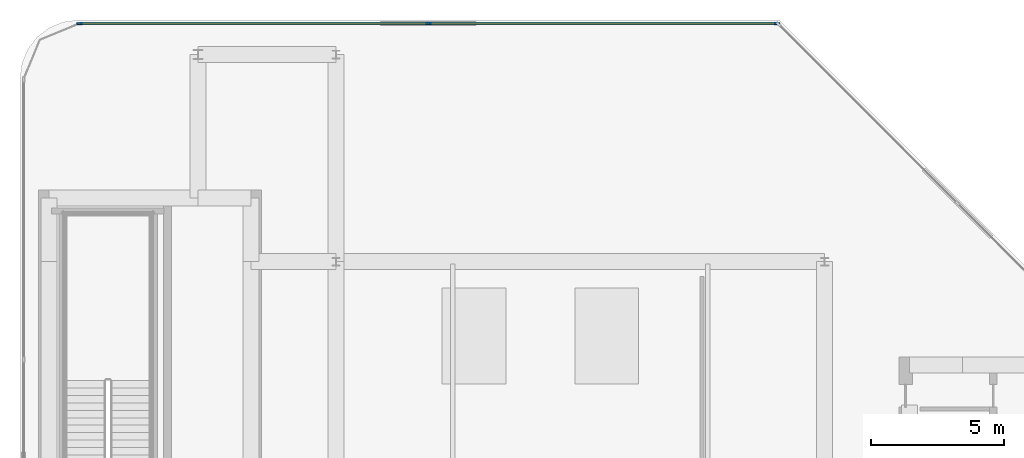
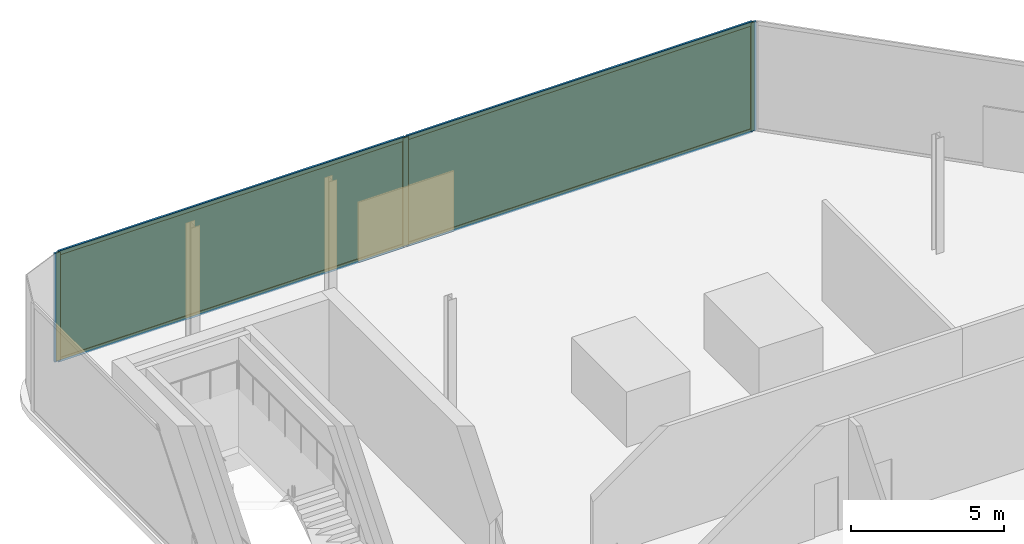
# One storey, part 10 of 15: 7 members, 2 plates, 1 curtain wall.
"""IFC4 building model written with IfcOpenShell, lengths in metres."""

from ifc_helpers import new_model, si_unit, direction, frame, frame_2d, origin, origin_2d, place, context, subcontext, project, spatial, rectangle, extrude, material, layer, layer_set, material_profile, profile_set, type_object, element, aggregate, save


model = new_model("IFC4")

# Units and contexts
model_context = context("Model", 3, precision=1e-05, world=origin(), true_north=direction((0.0, 1.0)))
body_context = subcontext(model_context, "Body", "Model", "MODEL_VIEW")
ifc_project = project(units=[si_unit("LENGTHUNIT", "METRE"), si_unit("AREAUNIT", "SQUARE_METRE"), si_unit("VOLUMEUNIT", "CUBIC_METRE"), si_unit("PLANEANGLEUNIT", "RADIAN"), si_unit("MASSUNIT", "GRAM", prefix="KILO")], contexts=[model_context])

# Member
ifc_material_1 = material(Name="Anodised Bronze Aluminium 6063-T6", Category="aluminium")
ifc_material_profile_1 = material_profile(ifc_material_1, rectangle(XDim=0.074951171875, YDim=0.2099609375, at=origin_2d()))
ifc_profile_set_1 = profile_set([ifc_material_profile_1], Name="Anodised Bronze Aluminium 6063-T6")
member_type_1 = type_object("IfcMemberType", Name="CW-CRN Mullion 75x210", PredefinedType="MULLION", material=ifc_profile_set_1)
site_placement = place(None, origin())
building_placement = place(site_placement, origin())
storey_placement = place(building_placement, frame((0.0, 0.0, 330.39990234375)))
member_1_placement = place(storey_placement, frame((-18.853271484375, 19.760009765625, 0.0), z_axis=(0.0, 0.0, 1.0), x_axis=(0.0, 1.0, 0.0)))
member_1 = element("IfcMember", 1, at=member_1_placement, type_object=member_type_1, Name="CW-CRN mullion 1", PredefinedType="MULLION", context=body_context, shape_type="SweptSolid", body=[
    extrude(rectangle(XDim=0.074951171875, YDim=0.2099609375, at=origin_2d()), origin(), (0.0, 0.0, 1.0), 4.340087890625),
])

member_2_placement = place(storey_placement, frame((-5.724365234375, 19.760009765625, 0.0), z_axis=(0.0, 0.0, 1.0), x_axis=(0.0, 1.0, 0.0)))
member_2 = element("IfcMember", 2, at=member_2_placement, type_object=member_type_1, Name="CW-CRN mullion 2", PredefinedType="MULLION", context=body_context, shape_type="SweptSolid", body=[
    extrude(rectangle(XDim=0.074951171875, YDim=0.2099609375, at=origin_2d()), origin(), (0.0, 0.0, 1.0), 4.340087890625),
])

member_3_placement = place(storey_placement, frame((7.404541015625, 19.760009765625, 0.0), z_axis=(0.0, 0.0, 1.0), x_axis=(0.0, 1.0, 0.0)))
member_3 = element("IfcMember", 3, at=member_3_placement, type_object=member_type_1, Name="CW-CRN mullion 3", PredefinedType="MULLION", context=body_context, shape_type="SweptSolid", body=[
    extrude(rectangle(XDim=0.074951171875, YDim=0.2099609375, at=origin_2d()), origin(), (0.0, 0.0, 1.0), 4.340087890625),
])

ifc_material_2 = material(Name="Anodised Bronze Aluminium 6063-T6", Category="aluminium")
ifc_material_profile_2 = material_profile(ifc_material_2, rectangle(XDim=0.074951171875, YDim=0.1650390625, at=origin_2d()))
ifc_profile_set_2 = profile_set([ifc_material_profile_2], Name="Anodised Bronze Aluminium 6063-T6")
member_type_2 = type_object("IfcMemberType", Name="CW-CRN Transom 75x165", PredefinedType="USERDEFINED", material=ifc_profile_set_2)
member_4_placement = place(storey_placement, frame((-18.81591796875, 19.760009765625, 0.03759765625), z_axis=(1.0, 0.0, 0.0), x_axis=(0.0, 1.0, 0.0)))
member_4 = element("IfcMember", 4, at=member_4_placement, type_object=member_type_2, Name="CW-CRN transom 1.1", ObjectType="TRANSOM", PredefinedType="USERDEFINED", context=body_context, shape_type="SweptSolid", body=[
    extrude(rectangle(XDim=0.074951171875, YDim=0.1650390625, at=origin_2d()), origin(), (0.0, 0.0, 1.0), 13.053955078125),
])

member_5_placement = place(storey_placement, frame((-18.81591796875, 19.760009765625, 4.302490234375), z_axis=(1.0, 0.0, 0.0), x_axis=(0.0, 1.0, 0.0)))
member_5 = element("IfcMember", 5, at=member_5_placement, type_object=member_type_2, Name="CW-CRN transom 1.2", ObjectType="TRANSOM", PredefinedType="USERDEFINED", context=body_context, shape_type="SweptSolid", body=[
    extrude(rectangle(XDim=0.074951171875, YDim=0.1650390625, at=origin_2d()), origin(), (0.0, 0.0, 1.0), 13.053955078125),
])

member_6_placement = place(storey_placement, frame((-5.68701171875, 19.760009765625, 0.03759765625), z_axis=(1.0, 0.0, 0.0), x_axis=(0.0, 1.0, 0.0)))
member_6 = element("IfcMember", 6, at=member_6_placement, type_object=member_type_2, Name="CW-CRN transom 2.1", ObjectType="TRANSOM", PredefinedType="USERDEFINED", context=body_context, shape_type="SweptSolid", body=[
    extrude(rectangle(XDim=0.074951171875, YDim=0.1650390625, at=origin_2d()), origin(), (0.0, 0.0, 1.0), 13.053955078125),
])

member_7_placement = place(storey_placement, frame((-5.68701171875, 19.760009765625, 4.302490234375), z_axis=(1.0, 0.0, 0.0), x_axis=(0.0, 1.0, 0.0)))
member_7 = element("IfcMember", 7, at=member_7_placement, type_object=member_type_2, Name="CW-CRN transom 2.2", ObjectType="TRANSOM", PredefinedType="USERDEFINED", context=body_context, shape_type="SweptSolid", body=[
    extrude(rectangle(XDim=0.074951171875, YDim=0.1650390625, at=origin_2d()), origin(), (0.0, 0.0, 1.0), 13.053955078125),
])

# Plate
ifc_material_3 = material(Name="Low-E Solar Control Laminated Glass", Category="glass")
ifc_layer_1 = layer(ifc_material_3, 0.035888671875, Name="Low-E Solar Control Laminated Glass")
ifc_layer_set_1 = layer_set([ifc_layer_1], Name="Low-E Solar Control Laminated Glass")
plate_type = type_object("IfcPlateType", Name="CW-CRN Low-E Double Glazed Panel 36mm", PredefinedType="CURTAIN_PANEL", material=ifc_layer_set_1)
plate_1_placement = place(storey_placement, frame((-12.288818359375, 19.760009765625, 0.0751953125), z_axis=(0.0, 0.0, 1.0), x_axis=(1.0, 0.0, 0.0)))
plate_1 = element("IfcPlate", 8, at=plate_1_placement, type_object=plate_type, Name="CW-CRN panel 1.1", PredefinedType="CURTAIN_PANEL", context=body_context, shape_type="SweptSolid", body=[
    extrude(rectangle(XDim=13.053955078125, YDim=0.035888671875, at=origin_2d()), origin(), (0.0, 0.0, 1.0), 4.18994140625),
])

plate_2_placement = place(storey_placement, frame((0.840087890625, 19.760009765625, 0.0751953125), z_axis=(0.0, 0.0, 1.0), x_axis=(1.0, 0.0, 0.0)))
plate_2 = element("IfcPlate", 9, at=plate_2_placement, type_object=plate_type, Name="CW-CRN panel 2.1", PredefinedType="CURTAIN_PANEL", context=body_context, shape_type="SweptSolid", body=[
    extrude(rectangle(XDim=13.053955078125, YDim=0.035888671875, at=origin_2d()), origin(), (0.0, 0.0, 1.0), 4.18994140625),
])

# Site, building, storey
site = spatial("IfcSite", under=ifc_project, at=site_placement, CompositionType="ELEMENT")
building = spatial("IfcBuilding", under=site, at=building_placement, Name="Khairoan Windgate Tower", CompositionType="ELEMENT")
storey = spatial("IfcBuildingStorey", under=building, at=storey_placement, Name="L79", CompositionType="ELEMENT", Elevation=330.39990234375)

# Curtain wall
ifc_material_4 = material(Name="Anodised Bronze Aluminium 6063-T6", Category="aluminium")
ifc_layer_2 = layer(ifc_material_4, 0.2099609375, Name="Anodised Bronze Aluminium 6063-T6")
ifc_layer_set_2 = layer_set([ifc_layer_2], Name="Anodised Bronze Aluminium 6063-T6")
curtain_wall_type = type_object("IfcCurtainWallType", Name="Crown Observation and Vitrine Curtain Wall CW-CRN", PredefinedType="NOTDEFINED", material=ifc_layer_set_2)
curtain_wall_placement = place(storey_placement, frame((-18.890869140625, 19.760009765625, 0.0), z_axis=(0.0, 0.0, 1.0), x_axis=(1.0, 0.0, 0.0)))
curtain_wall = element("IfcCurtainWall", 10, at=curtain_wall_placement, inside=storey, type_object=curtain_wall_type, Name="L79 Unitised Curtain Wall 6", PredefinedType="NOTDEFINED", context=body_context, shape_type="SweptSolid", body=[
    extrude(rectangle(XDim=26.332763671875, YDim=0.010009765625, at=frame_2d((13.16650390625, 0.0))), origin(), (0.0, 0.0, 1.0), 4.340087890625),
])

aggregate(curtain_wall, [member_1, member_2, member_3, member_4, member_5, plate_1, member_6, member_7, plate_2])

save(model, "model.ifc")
